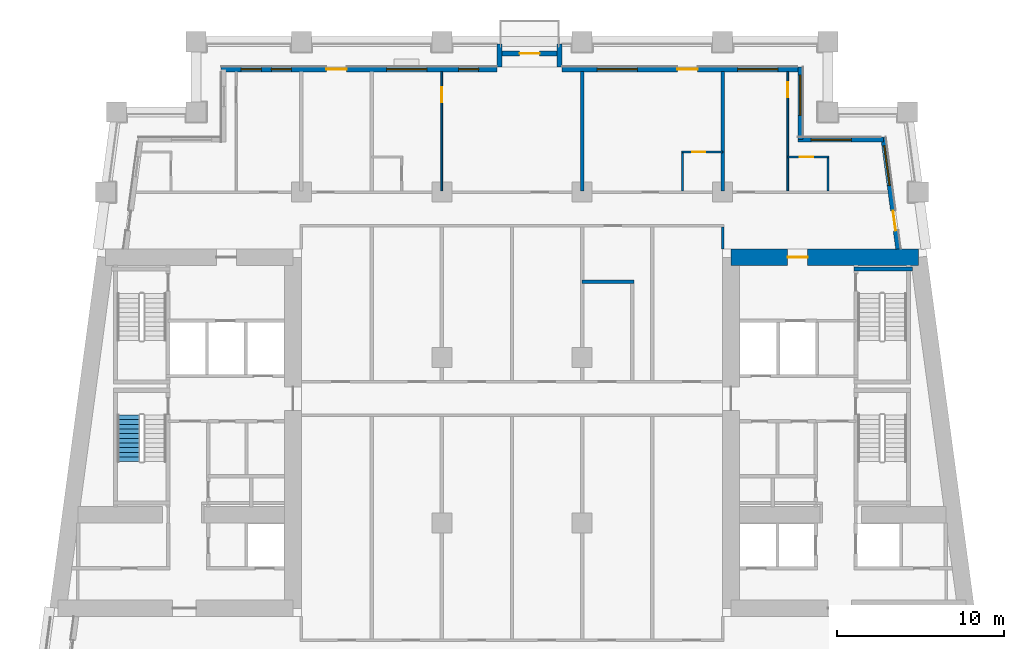
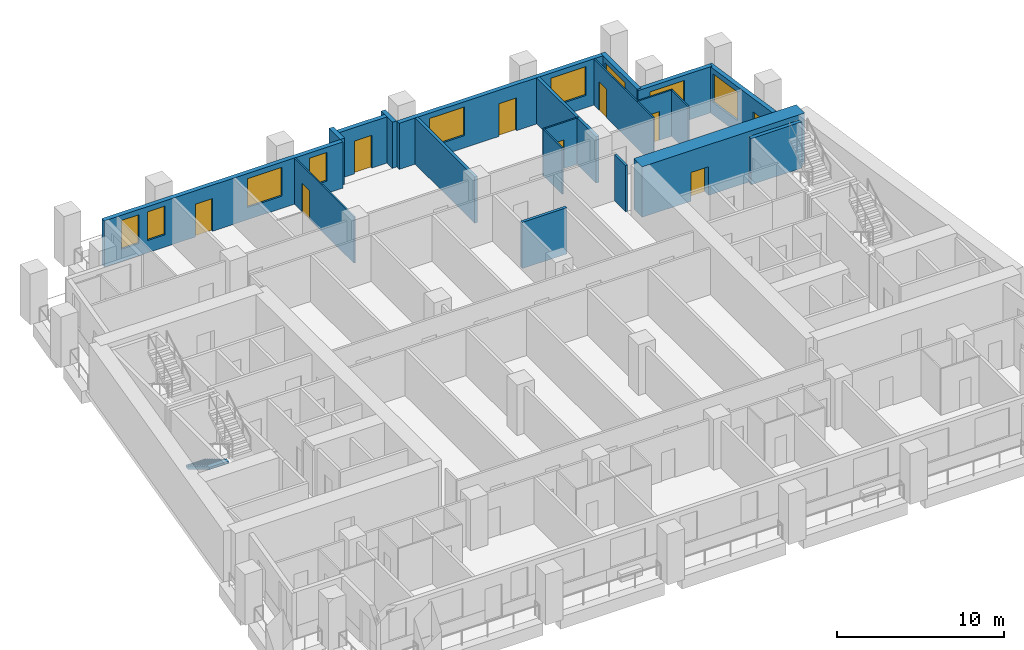
# One storey, part 7 of 13: 20 walls, 9 doors, 9 windows, 1 stair flight, 18 openings, 1 element without a shape of its own.
"""IFC4 building model written with IfcOpenShell, lengths in metres."""

from ifc_helpers import new_model, si_unit, direction, frame, frame_2d, origin, place, context, subcontext, project, spatial, polyline, rectangle, outline, extrude, material, layer, layer_set, type_object, element, fill, aggregate, save


model = new_model("IFC4")

# Units and contexts
model_context = context("Model", 3, precision=1e-05, world=origin(), true_north=direction((0.0, 1.0)))
body_context = subcontext(model_context, "Body", "Model", "MODEL_VIEW")
ifc_project = project(units=[si_unit("LENGTHUNIT", "METRE"), si_unit("AREAUNIT", "SQUARE_METRE"), si_unit("VOLUMEUNIT", "CUBIC_METRE"), si_unit("PLANEANGLEUNIT", "RADIAN"), si_unit("MASSUNIT", "GRAM", prefix="KILO")], contexts=[model_context])

# Site, building, storey
site_placement = place(None, origin())
site = spatial("IfcSite", under=ifc_project, at=site_placement, CompositionType="ELEMENT")
building_placement = place(site_placement, origin())
building = spatial("IfcBuilding", under=site, at=building_placement, Name="Candeia Pilgrim Tower and Theatre", CompositionType="ELEMENT")
storey_placement = place(building_placement, frame((0.0, 0.0, 102.10009765625)))
storey = spatial("IfcBuildingStorey", under=building, at=storey_placement, Name="L23", CompositionType="ELEMENT", Elevation=102.10009765625)

# Wall, opening, door
ifc_material_1 = material(Name="Concrete C70/85", Category="concrete")
ifc_layer_1 = layer(ifc_material_1, 1.0)
ifc_layer_set_1 = layer_set([ifc_layer_1], Name="Core wall 1000 C70/85")
wall_type_1 = type_object("IfcWallType", Name="Core wall 1000 C70/85", PredefinedType="SHEAR", material=ifc_layer_set_1)
wall_1_placement = place(storey_placement, frame((126.5, 131.89990234375, 0.0), z_axis=(0.0, 0.0, 1.0), x_axis=(1.0, 0.0, 0.0)))
wall_1 = element("IfcWall", 1, at=wall_1_placement, inside=storey, type_object=wall_type_1, Name="Core wall E1", PredefinedType="SHEAR", context=body_context, shape_type="SweptSolid", body=[
    extrude(rectangle(XDim=11.23193359375, YDim=1.0, at=frame_2d((5.615966796875, 0.0))), origin(), (0.0, 0.0, 1.0), 3.699951171875),
])
opening_1_placement = place(wall_1_placement, frame((3.386474609375, 0.0, 0.0)))
opening_1 = element("IfcOpeningElement", 2, at=opening_1_placement, cuts=wall_1, Name="Opening L23-D063", PredefinedType="OPENING", context=body_context, shape_type="SweptSolid", body=[
    extrude(rectangle(XDim=1.199951171875, YDim=2.10009765625, at=frame_2d((0.60009765625, 1.050048828125))), frame((0.0, 0.510009765625, 0.0), z_axis=(0.0, -1.0, 0.0), x_axis=(1.0, 0.0, 0.0)), (0.0, 0.0, 1.0), 1.02001953125),
])
ifc_material_2 = material(Name="Steel fire door set", Category="steel")
door_type_1 = type_object("IfcDoorType", Name="D-1200-FD60", OperationType="NOTDEFINED", PredefinedType="DOOR", material=ifc_material_2)
door_1_placement = place(opening_1_placement, origin())
door_1 = element("IfcDoor", 3, at=door_1_placement, inside=storey, type_object=door_type_1, Name="Door L23-D063", OperationType="SINGLE_SWING_RIGHT", OverallHeight=2.10009765625, OverallWidth=1.199951171875, PredefinedType="DOOR", context=body_context, shape_type="SweptSolid", body=[
    extrude(rectangle(XDim=1.199951171875, YDim=2.10009765625, at=frame_2d((0.60009765625, 1.050048828125))), frame((0.0, 0.02490234375, 0.0), z_axis=(0.0, -1.0, 0.0), x_axis=(1.0, 0.0, 0.0)), (0.0, 0.0, 1.0), 0.050048828125),
])
fill(opening_1, door_1)

# Wall, openings, door, window
ifc_material_3 = material(Name="Ceramic block masonry", Category="masonry")
ifc_layer_2 = layer(ifc_material_3, 0.300048828125)
ifc_layer_set_2 = layer_set([ifc_layer_2], Name="EW1 glazing-line wall 300")
wall_type_2 = type_object("IfcWallType", Name="EW1 glazing-line wall 300", PredefinedType="SOLIDWALL", material=ifc_layer_set_2)
wall_2_placement = place(storey_placement, frame((136.50439453125, 132.39990234375, 0.0), z_axis=(0.0, 0.0, 1.0), x_axis=(-0.133399697462, 0.99106231929, 0.0)))
wall_2 = element("IfcWall", 4, at=wall_2_placement, inside=storey, type_object=wall_type_2, Name="External wall L23-3.1", PredefinedType="SOLIDWALL", context=body_context, shape_type="SweptSolid", body=[
    extrude(rectangle(XDim=6.740478515625, YDim=0.300048828125, at=frame_2d((3.3701171875, 0.0))), origin(), (0.0, 0.0, 1.0), 3.3798828125),
])
opening_2_placement = place(wall_2_placement, frame((1.115234375, 0.0, 0.0)))
opening_2 = element("IfcOpeningElement", 5, at=opening_2_placement, cuts=wall_2, Name="Opening L23-ED236", PredefinedType="OPENING", context=body_context, shape_type="SweptSolid", body=[
    extrude(rectangle(XDim=1.199951171875, YDim=2.39990234375, at=frame_2d((0.60009765625, 1.199951171875))), frame((0.0, 0.16015625, 0.0), z_axis=(0.0, -1.0, 0.0), x_axis=(1.0, 0.0, 0.0)), (0.0, 0.0, 1.0), 0.320068359375),
])
opening_3_placement = place(wall_2_placement, frame((3.83544921875, 0.0, 0.89990234375)))
opening_3 = element("IfcOpeningElement", 6, at=opening_3_placement, cuts=wall_2, Name="Opening W-A", PredefinedType="OPENING", context=body_context, shape_type="SweptSolid", body=[
    extrude(rectangle(XDim=2.39990234375, YDim=2.10009765625, at=frame_2d((1.199951171875, 1.050048828125))), frame((0.0, 0.16015625, 0.0), z_axis=(0.0, -1.0, 0.0), x_axis=(1.0, 0.0, 0.0)), (0.0, 0.0, 1.0), 0.320068359375),
])
ifc_material_4 = material(Name="Aluminium framed glazed door", Category="aluminium")
door_type_2 = type_object("IfcDoorType", Name="Loggia door 1200x2400", OperationType="DOUBLE_DOOR_SINGLE_SWING", PredefinedType="DOOR", material=ifc_material_4)
door_2_placement = place(opening_2_placement, origin())
door_2 = element("IfcDoor", 7, at=door_2_placement, inside=storey, type_object=door_type_2, Name="Loggia door L23-ED236", OperationType="DOUBLE_DOOR_SINGLE_SWING", OverallHeight=2.39990234375, OverallWidth=1.199951171875, PredefinedType="DOOR", context=body_context, shape_type="SweptSolid", body=[
    extrude(rectangle(XDim=1.199951171875, YDim=2.39990234375, at=frame_2d((0.60009765625, 1.199951171875))), frame((0.0, 0.02490234375, 0.0), z_axis=(0.0, -1.0, 0.0), x_axis=(1.0, 0.0, 0.0)), (0.0, 0.0, 1.0), 0.050048828125),
])
fill(opening_2, door_2)
ifc_material_5 = material(Name="Aluminium framed double glazing", Category="aluminium")
window_type_1 = type_object("IfcWindowType", Name="W-A window 2400x2100", PartitioningType="DOUBLE_PANEL_VERTICAL", PredefinedType="WINDOW", material=ifc_material_5)
window_1_placement = place(opening_3_placement, origin())
window_1 = element("IfcWindow", 8, at=window_1_placement, inside=storey, type_object=window_type_1, Name="Window W-A L23", OverallHeight=2.10009765625, OverallWidth=2.39990234375, PartitioningType="SINGLE_PANEL", PredefinedType="WINDOW", context=body_context, shape_type="SweptSolid", body=[
    extrude(rectangle(XDim=2.39990234375, YDim=2.10009765625, at=frame_2d((1.199951171875, 1.050048828125))), frame((0.0, 0.030029296875, 0.0), z_axis=(0.0, -1.0, 0.0), x_axis=(1.0, 0.0, 0.0)), (0.0, 0.0, 1.0), 0.06005859375),
])
fill(opening_3, window_1)

# Wall, opening, window
wall_3_placement = place(storey_placement, frame((135.62255859375, 138.949951171875, 0.0), z_axis=(0.0, 0.0, 1.0), x_axis=(-1.0, 0.0, 0.0)))
wall_3 = element("IfcWall", 9, at=wall_3_placement, inside=storey, type_object=wall_type_2, Name="External wall L23-4.0", PredefinedType="SOLIDWALL", context=body_context, shape_type="SweptSolid", body=[
    extrude(rectangle(XDim=5.12255859375, YDim=0.300048828125, at=frame_2d((2.561279296875, 0.0))), origin(), (0.0, 0.0, 1.0), 3.3798828125),
])
opening_4_placement = place(wall_3_placement, frame((1.922607421875, 0.0, 0.89990234375)))
opening_4 = element("IfcOpeningElement", 10, at=opening_4_placement, cuts=wall_3, Name="Opening W-A", PredefinedType="OPENING", context=body_context, shape_type="SweptSolid", body=[
    extrude(rectangle(XDim=2.39990234375, YDim=2.10009765625, at=frame_2d((1.199951171875, 1.050048828125))), frame((0.0, 0.16015625, 0.0), z_axis=(0.0, -1.0, 0.0), x_axis=(1.0, 0.0, 0.0)), (0.0, 0.0, 1.0), 0.320068359375),
])
window_2_placement = place(opening_4_placement, origin())
window_2 = element("IfcWindow", 11, at=window_2_placement, inside=storey, type_object=window_type_1, Name="Window W-A L23", OverallHeight=2.10009765625, OverallWidth=2.39990234375, PartitioningType="SINGLE_PANEL", PredefinedType="WINDOW", context=body_context, shape_type="SweptSolid", body=[
    extrude(rectangle(XDim=2.39990234375, YDim=2.10009765625, at=frame_2d((1.199951171875, 1.050048828125))), frame((0.0, 0.030029296875, 0.0), z_axis=(0.0, -1.0, 0.0), x_axis=(1.0, 0.0, 0.0)), (0.0, 0.0, 1.0), 0.06005859375),
])
fill(opening_4, window_2)

wall_4_placement = place(storey_placement, frame((130.64990234375, 138.949951171875, 0.0), z_axis=(0.0, 0.0, 1.0), x_axis=(0.0, 1.0, 0.0)))
wall_4 = element("IfcWall", 12, at=wall_4_placement, inside=storey, type_object=wall_type_2, Name="External wall L23-5.0", PredefinedType="SOLIDWALL", context=body_context, shape_type="SweptSolid", body=[
    extrude(rectangle(XDim=4.35009765625, YDim=0.300048828125, at=frame_2d((2.175048828125, 0.0))), origin(), (0.0, 0.0, 1.0), 3.3798828125),
])
opening_5_placement = place(wall_4_placement, frame((1.449951171875, 0.0, 0.89990234375)))
opening_5 = element("IfcOpeningElement", 13, at=opening_5_placement, cuts=wall_4, Name="Opening W-A", PredefinedType="OPENING", context=body_context, shape_type="SweptSolid", body=[
    extrude(rectangle(XDim=2.39990234375, YDim=2.10009765625, at=frame_2d((1.199951171875, 1.050048828125))), frame((0.0, 0.16015625, 0.0), z_axis=(0.0, -1.0, 0.0), x_axis=(1.0, 0.0, 0.0)), (0.0, 0.0, 1.0), 0.320068359375),
])
window_3_placement = place(opening_5_placement, origin())
window_3 = element("IfcWindow", 14, at=window_3_placement, inside=storey, type_object=window_type_1, Name="Window W-A L23", OverallHeight=2.10009765625, OverallWidth=2.39990234375, PartitioningType="SINGLE_PANEL", PredefinedType="WINDOW", context=body_context, shape_type="SweptSolid", body=[
    extrude(rectangle(XDim=2.39990234375, YDim=2.10009765625, at=frame_2d((1.199951171875, 1.050048828125))), frame((0.0, 0.030029296875, 0.0), z_axis=(0.0, -1.0, 0.0), x_axis=(1.0, 0.0, 0.0)), (0.0, 0.0, 1.0), 0.06005859375),
])
fill(opening_5, window_3)

# Wall, openings, door, windows
wall_5_placement = place(storey_placement, frame((130.64990234375, 143.14990234375, 0.0), z_axis=(0.0, 0.0, 1.0), x_axis=(-1.0, 0.0, 0.0)))
wall_5 = element("IfcWall", 15, at=wall_5_placement, inside=storey, type_object=wall_type_2, Name="External wall L23-6.0", PredefinedType="SOLIDWALL", context=body_context, shape_type="SweptSolid", body=[
    extrude(rectangle(XDim=14.25, YDim=0.300048828125, at=frame_2d((7.125, 0.0))), origin(), (0.0, 0.0, 1.0), 3.3798828125),
])
opening_6_placement = place(wall_5_placement, frame((1.35009765625, 0.0, 0.89990234375)))
opening_6 = element("IfcOpeningElement", 16, at=opening_6_placement, cuts=wall_5, Name="Opening W-A", PredefinedType="OPENING", context=body_context, shape_type="SweptSolid", body=[
    extrude(rectangle(XDim=2.39990234375, YDim=2.10009765625, at=frame_2d((1.199951171875, 1.050048828125))), frame((0.0, 0.16015625, 0.0), z_axis=(0.0, -1.0, 0.0), x_axis=(1.0, 0.0, 0.0)), (0.0, 0.0, 1.0), 0.320068359375),
])
opening_7_placement = place(wall_5_placement, frame((6.14990234375, 0.0, 0.0)))
opening_7 = element("IfcOpeningElement", 17, at=opening_7_placement, cuts=wall_5, Name="Opening L23-ED237", PredefinedType="OPENING", context=body_context, shape_type="SweptSolid", body=[
    extrude(rectangle(XDim=1.199951171875, YDim=2.39990234375, at=frame_2d((0.60009765625, 1.199951171875))), frame((0.0, 0.16015625, 0.0), z_axis=(0.0, -1.0, 0.0), x_axis=(1.0, 0.0, 0.0)), (0.0, 0.0, 1.0), 0.320068359375),
])
opening_8_placement = place(wall_5_placement, frame((9.75, 0.0, 0.89990234375)))
opening_8 = element("IfcOpeningElement", 18, at=opening_8_placement, cuts=wall_5, Name="Opening W-A", PredefinedType="OPENING", context=body_context, shape_type="SweptSolid", body=[
    extrude(rectangle(XDim=2.39990234375, YDim=2.10009765625, at=frame_2d((1.199951171875, 1.050048828125))), frame((0.0, 0.16015625, 0.0), z_axis=(0.0, -1.0, 0.0), x_axis=(1.0, 0.0, 0.0)), (0.0, 0.0, 1.0), 0.320068359375),
])
door_3_placement = place(opening_7_placement, origin())
door_3 = element("IfcDoor", 19, at=door_3_placement, inside=storey, type_object=door_type_2, Name="Loggia door L23-ED237", OperationType="DOUBLE_DOOR_SINGLE_SWING", OverallHeight=2.39990234375, OverallWidth=1.199951171875, PredefinedType="DOOR", context=body_context, shape_type="SweptSolid", body=[
    extrude(rectangle(XDim=1.199951171875, YDim=2.39990234375, at=frame_2d((0.60009765625, 1.199951171875))), frame((0.0, 0.02490234375, 0.0), z_axis=(0.0, -1.0, 0.0), x_axis=(1.0, 0.0, 0.0)), (0.0, 0.0, 1.0), 0.050048828125),
])
fill(opening_7, door_3)
window_4_placement = place(opening_6_placement, origin())
window_4 = element("IfcWindow", 20, at=window_4_placement, inside=storey, type_object=window_type_1, Name="Window W-A L23", OverallHeight=2.10009765625, OverallWidth=2.39990234375, PartitioningType="SINGLE_PANEL", PredefinedType="WINDOW", context=body_context, shape_type="SweptSolid", body=[
    extrude(rectangle(XDim=2.39990234375, YDim=2.10009765625, at=frame_2d((1.199951171875, 1.050048828125))), frame((0.0, 0.030029296875, 0.0), z_axis=(0.0, -1.0, 0.0), x_axis=(1.0, 0.0, 0.0)), (0.0, 0.0, 1.0), 0.06005859375),
])
fill(opening_6, window_4)
window_5_placement = place(opening_8_placement, origin())
window_5 = element("IfcWindow", 21, at=window_5_placement, inside=storey, type_object=window_type_1, Name="Window W-A L23", OverallHeight=2.10009765625, OverallWidth=2.39990234375, PartitioningType="SINGLE_PANEL", PredefinedType="WINDOW", context=body_context, shape_type="SweptSolid", body=[
    extrude(rectangle(XDim=2.39990234375, YDim=2.10009765625, at=frame_2d((1.199951171875, 1.050048828125))), frame((0.0, 0.030029296875, 0.0), z_axis=(0.0, -1.0, 0.0), x_axis=(1.0, 0.0, 0.0)), (0.0, 0.0, 1.0), 0.06005859375),
])
fill(opening_8, window_5)

wall_6_placement = place(storey_placement, frame((112.5, 143.14990234375, 0.0), z_axis=(0.0, 0.0, 1.0), x_axis=(-1.0, 0.0, 0.0)))
wall_6 = element("IfcWall", 22, at=wall_6_placement, inside=storey, type_object=wall_type_2, Name="External wall L23-6.1", PredefinedType="SOLIDWALL", context=body_context, shape_type="SweptSolid", body=[
    extrude(rectangle(XDim=16.5, YDim=0.300048828125, at=frame_2d((8.25, 0.0))), origin(), (0.0, 0.0, 1.0), 3.3798828125),
])
opening_9_placement = place(wall_6_placement, frame((1.10009765625, 0.0, 0.89990234375)))
opening_9 = element("IfcOpeningElement", 23, at=opening_9_placement, cuts=wall_6, Name="Opening W-B", PredefinedType="OPENING", context=body_context, shape_type="SweptSolid", body=[
    extrude(rectangle(XDim=1.199951171875, YDim=2.10009765625, at=frame_2d((0.60009765625, 1.050048828125))), frame((0.0, 0.16015625, 0.0), z_axis=(0.0, -1.0, 0.0), x_axis=(1.0, 0.0, 0.0)), (0.0, 0.0, 1.0), 0.320068359375),
])
opening_10_placement = place(wall_6_placement, frame((4.199951171875, 0.0, 0.89990234375)))
opening_10 = element("IfcOpeningElement", 24, at=opening_10_placement, cuts=wall_6, Name="Opening W-A", PredefinedType="OPENING", context=body_context, shape_type="SweptSolid", body=[
    extrude(rectangle(XDim=2.39990234375, YDim=2.10009765625, at=frame_2d((1.199951171875, 1.050048828125))), frame((0.0, 0.16015625, 0.0), z_axis=(0.0, -1.0, 0.0), x_axis=(1.0, 0.0, 0.0)), (0.0, 0.0, 1.0), 0.320068359375),
])
opening_11_placement = place(wall_6_placement, frame((9.0, 0.0, 0.0)))
opening_11 = element("IfcOpeningElement", 25, at=opening_11_placement, cuts=wall_6, Name="Opening L23-ED238", PredefinedType="OPENING", context=body_context, shape_type="SweptSolid", body=[
    extrude(rectangle(XDim=1.199951171875, YDim=2.39990234375, at=frame_2d((0.60009765625, 1.199951171875))), frame((0.0, 0.16015625, 0.0), z_axis=(0.0, -1.0, 0.0), x_axis=(1.0, 0.0, 0.0)), (0.0, 0.0, 1.0), 0.320068359375),
])
opening_12_placement = place(wall_6_placement, frame((12.300048828125, 0.0, 0.89990234375)))
opening_12 = element("IfcOpeningElement", 26, at=opening_12_placement, cuts=wall_6, Name="Opening W-B", PredefinedType="OPENING", context=body_context, shape_type="SweptSolid", body=[
    extrude(rectangle(XDim=1.199951171875, YDim=2.10009765625, at=frame_2d((0.60009765625, 1.050048828125))), frame((0.0, 0.16015625, 0.0), z_axis=(0.0, -1.0, 0.0), x_axis=(1.0, 0.0, 0.0)), (0.0, 0.0, 1.0), 0.320068359375),
])
opening_13_placement = place(wall_6_placement, frame((14.10009765625, 0.0, 0.89990234375)))
opening_13 = element("IfcOpeningElement", 27, at=opening_13_placement, cuts=wall_6, Name="Opening W-B", PredefinedType="OPENING", context=body_context, shape_type="SweptSolid", body=[
    extrude(rectangle(XDim=1.199951171875, YDim=2.10009765625, at=frame_2d((0.60009765625, 1.050048828125))), frame((0.0, 0.16015625, 0.0), z_axis=(0.0, -1.0, 0.0), x_axis=(1.0, 0.0, 0.0)), (0.0, 0.0, 1.0), 0.320068359375),
])
door_4_placement = place(opening_11_placement, origin())
door_4 = element("IfcDoor", 28, at=door_4_placement, inside=storey, type_object=door_type_2, Name="Loggia door L23-ED238", OperationType="DOUBLE_DOOR_SINGLE_SWING", OverallHeight=2.39990234375, OverallWidth=1.199951171875, PredefinedType="DOOR", context=body_context, shape_type="SweptSolid", body=[
    extrude(rectangle(XDim=1.199951171875, YDim=2.39990234375, at=frame_2d((0.60009765625, 1.199951171875))), frame((0.0, 0.02490234375, 0.0), z_axis=(0.0, -1.0, 0.0), x_axis=(1.0, 0.0, 0.0)), (0.0, 0.0, 1.0), 0.050048828125),
])
fill(opening_11, door_4)
window_6_placement = place(opening_10_placement, origin())
window_6 = element("IfcWindow", 29, at=window_6_placement, inside=storey, type_object=window_type_1, Name="Window W-A L23", OverallHeight=2.10009765625, OverallWidth=2.39990234375, PartitioningType="SINGLE_PANEL", PredefinedType="WINDOW", context=body_context, shape_type="SweptSolid", body=[
    extrude(rectangle(XDim=2.39990234375, YDim=2.10009765625, at=frame_2d((1.199951171875, 1.050048828125))), frame((0.0, 0.030029296875, 0.0), z_axis=(0.0, -1.0, 0.0), x_axis=(1.0, 0.0, 0.0)), (0.0, 0.0, 1.0), 0.06005859375),
])
fill(opening_10, window_6)
window_type_2 = type_object("IfcWindowType", Name="W-B window 1200x2100", PartitioningType="SINGLE_PANEL", PredefinedType="WINDOW", material=ifc_material_5)
window_7_placement = place(opening_9_placement, origin())
window_7 = element("IfcWindow", 30, at=window_7_placement, inside=storey, type_object=window_type_2, Name="Window W-B L23", OverallHeight=2.10009765625, OverallWidth=1.199951171875, PartitioningType="SINGLE_PANEL", PredefinedType="WINDOW", context=body_context, shape_type="SweptSolid", body=[
    extrude(rectangle(XDim=1.199951171875, YDim=2.10009765625, at=frame_2d((0.60009765625, 1.050048828125))), frame((0.0, 0.030029296875, 0.0), z_axis=(0.0, -1.0, 0.0), x_axis=(1.0, 0.0, 0.0)), (0.0, 0.0, 1.0), 0.06005859375),
])
fill(opening_9, window_7)
window_8_placement = place(opening_12_placement, origin())
window_8 = element("IfcWindow", 31, at=window_8_placement, inside=storey, type_object=window_type_2, Name="Window W-B L23", OverallHeight=2.10009765625, OverallWidth=1.199951171875, PartitioningType="SINGLE_PANEL", PredefinedType="WINDOW", context=body_context, shape_type="SweptSolid", body=[
    extrude(rectangle(XDim=1.199951171875, YDim=2.10009765625, at=frame_2d((0.60009765625, 1.050048828125))), frame((0.0, 0.030029296875, 0.0), z_axis=(0.0, -1.0, 0.0), x_axis=(1.0, 0.0, 0.0)), (0.0, 0.0, 1.0), 0.06005859375),
])
fill(opening_12, window_8)
window_9_placement = place(opening_13_placement, origin())
window_9 = element("IfcWindow", 32, at=window_9_placement, inside=storey, type_object=window_type_2, Name="Window W-B L23", OverallHeight=2.10009765625, OverallWidth=1.199951171875, PartitioningType="SINGLE_PANEL", PredefinedType="WINDOW", context=body_context, shape_type="SweptSolid", body=[
    extrude(rectangle(XDim=1.199951171875, YDim=2.10009765625, at=frame_2d((0.60009765625, 1.050048828125))), frame((0.0, 0.030029296875, 0.0), z_axis=(0.0, -1.0, 0.0), x_axis=(1.0, 0.0, 0.0)), (0.0, 0.0, 1.0), 0.06005859375),
])
fill(opening_13, window_9)

# Walls
ifc_layer_3 = layer(ifc_material_3, 0.300048828125)
ifc_layer_set_3 = layer_set([ifc_layer_3], Name="EW2 entrance infill wall 300")
wall_type_3 = type_object("IfcWallType", Name="EW2 entrance infill wall 300", PredefinedType="SOLIDWALL", material=ifc_layer_set_3)
for number, where, z_axis, x_axis, name in (
    (33, (116.25, 143.300048828125, 0.0), (0.0, 0.0, 1.0), (0.0, 1.0, 0.0), "Alcove wall L23"),
    (34, (112.64990234375, 143.300048828125, 0.0), (0.0, 0.0, 1.0), (0.0, 1.0, 0.0), "Alcove wall L23"),
):
    element("IfcWall", number, at=place(storey_placement, frame(where, z_axis=z_axis, x_axis=x_axis)), inside=storey, type_object=wall_type_3, Name=name, PredefinedType="SOLIDWALL", context=body_context, shape_type="SweptSolid", body=[
        extrude(rectangle(XDim=1.349853515625, YDim=0.300048828125, at=frame_2d((0.6748046875, 0.0))), origin(), (0.0, 0.0, 1.0), 3.3798828125),
    ])

# Wall, opening, door
wall_7_placement = place(storey_placement, frame((116.39990234375, 144.10009765625, 0.0), z_axis=(0.0, 0.0, 1.0), x_axis=(-1.0, 0.0, 0.0)))
wall_7 = element("IfcWall", 35, at=wall_7_placement, inside=storey, type_object=wall_type_3, Name="Alcove wall L23", PredefinedType="SOLIDWALL", context=body_context, shape_type="SweptSolid", body=[
    extrude(rectangle(XDim=3.89990234375, YDim=0.300048828125, at=frame_2d((1.949951171875, 0.0))), origin(), (0.0, 0.0, 1.0), 3.3798828125),
])
opening_14_placement = place(wall_7_placement, frame((1.35009765625, 0.0, 0.0)))
opening_14 = element("IfcOpeningElement", 36, at=opening_14_placement, cuts=wall_7, Name="Opening L23-ED239", PredefinedType="OPENING", context=body_context, shape_type="SweptSolid", body=[
    extrude(rectangle(XDim=1.199951171875, YDim=2.39990234375, at=frame_2d((0.60009765625, 1.199951171875))), frame((0.0, 0.16015625, 0.0), z_axis=(0.0, -1.0, 0.0), x_axis=(1.0, 0.0, 0.0)), (0.0, 0.0, 1.0), 0.320068359375),
])
door_5_placement = place(opening_14_placement, origin())
door_5 = element("IfcDoor", 37, at=door_5_placement, inside=storey, type_object=door_type_2, Name="Balcony door L23-ED239", OperationType="DOUBLE_DOOR_SINGLE_SWING", OverallHeight=2.39990234375, OverallWidth=1.199951171875, PredefinedType="DOOR", context=body_context, shape_type="SweptSolid", body=[
    extrude(rectangle(XDim=1.199951171875, YDim=2.39990234375, at=frame_2d((0.60009765625, 1.199951171875))), frame((0.0, 0.02490234375, 0.0), z_axis=(0.0, -1.0, 0.0), x_axis=(1.0, 0.0, 0.0)), (0.0, 0.0, 1.0), 0.050048828125),
])
fill(opening_14, door_5)

ifc_material_6 = material(Name="Gypsum board partition on steel studs", Category="steel")
ifc_layer_4 = layer(ifc_material_6, 0.10009765625)
ifc_layer_set_4 = layer_set([ifc_layer_4], Name="PW-100 room partition")
wall_type_4 = type_object("IfcWallType", Name="PW-100 room partition", PredefinedType="PARTITIONING", material=ifc_layer_set_4)
wall_8_placement = place(storey_placement, frame((129.89990234375, 137.89990234375, 0.0), z_axis=(0.0, 0.0, 1.0), x_axis=(1.0, 0.0, 0.0)))
wall_8 = element("IfcWall", 38, at=wall_8_placement, inside=storey, type_object=wall_type_4, Name="Room partition L23-045", PredefinedType="PARTITIONING", context=body_context, shape_type="SweptSolid", body=[
    extrude(rectangle(XDim=2.4501953125, YDim=0.10009765625, at=frame_2d((1.22509765625, 0.0))), origin(), (0.0, 0.0, 1.0), 3.3798828125),
])
opening_15_placement = place(wall_8_placement, frame((0.7099609375, 0.0, 0.0)))
opening_15 = element("IfcOpeningElement", 39, at=opening_15_placement, cuts=wall_8, Name="Opening L23-D045", PredefinedType="OPENING", context=body_context, shape_type="SweptSolid", body=[
    extrude(rectangle(XDim=0.800048828125, YDim=2.10009765625, at=frame_2d((0.39990234375, 1.050048828125))), frame((0.0, 0.06005859375, 0.0), z_axis=(0.0, -1.0, 0.0), x_axis=(1.0, 0.0, 0.0)), (0.0, 0.0, 1.0), 0.1201171875),
])
ifc_material_7 = material(Name="Timber door leaf", Category="wood")
door_type_3 = type_object("IfcDoorType", Name="D-800", OperationType="NOTDEFINED", PredefinedType="DOOR", material=ifc_material_7)
door_6_placement = place(opening_15_placement, origin())
door_6 = element("IfcDoor", 40, at=door_6_placement, inside=storey, type_object=door_type_3, Name="Door L23-D045", OperationType="SINGLE_SWING_RIGHT", OverallHeight=2.10009765625, OverallWidth=0.800048828125, PredefinedType="DOOR", context=body_context, shape_type="SweptSolid", body=[
    extrude(rectangle(XDim=0.800048828125, YDim=2.10009765625, at=frame_2d((0.39990234375, 1.050048828125))), frame((0.0, 0.02490234375, 0.0), z_axis=(0.0, -1.0, 0.0), x_axis=(1.0, 0.0, 0.0)), (0.0, 0.0, 1.0), 0.050048828125),
])
fill(opening_15, door_6)

wall_9_placement = place(storey_placement, frame((123.550048828125, 138.199951171875, 0.0), z_axis=(0.0, 0.0, 1.0), x_axis=(1.0, 0.0, 0.0)))
wall_9 = element("IfcWall", 41, at=wall_9_placement, inside=storey, type_object=wall_type_4, Name="Room partition L23-047", PredefinedType="PARTITIONING", context=body_context, shape_type="SweptSolid", body=[
    extrude(rectangle(XDim=2.449951171875, YDim=0.10009765625, at=frame_2d((1.22509765625, 0.0))), origin(), (0.0, 0.0, 1.0), 3.3798828125),
])
opening_16_placement = place(wall_9_placement, frame((0.625, 0.0, 0.0)))
opening_16 = element("IfcOpeningElement", 42, at=opening_16_placement, cuts=wall_9, Name="Opening L23-D042", PredefinedType="OPENING", context=body_context, shape_type="SweptSolid", body=[
    extrude(rectangle(XDim=0.800048828125, YDim=2.10009765625, at=frame_2d((0.39990234375, 1.050048828125))), frame((0.0, 0.06005859375, 0.0), z_axis=(0.0, -1.0, 0.0), x_axis=(1.0, 0.0, 0.0)), (0.0, 0.0, 1.0), 0.1201171875),
])
door_7_placement = place(opening_16_placement, origin())
door_7 = element("IfcDoor", 43, at=door_7_placement, inside=storey, type_object=door_type_3, Name="Door L23-D042", OperationType="SINGLE_SWING_LEFT", OverallHeight=2.10009765625, OverallWidth=0.800048828125, PredefinedType="DOOR", context=body_context, shape_type="SweptSolid", body=[
    extrude(rectangle(XDim=0.800048828125, YDim=2.10009765625, at=frame_2d((0.39990234375, 1.050048828125))), frame((0.0, 0.02490234375, 0.0), z_axis=(0.0, -1.0, 0.0), x_axis=(1.0, 0.0, 0.0)), (0.0, 0.0, 1.0), 0.050048828125),
])
fill(opening_16, door_7)

wall_10_placement = place(storey_placement, frame((109.199951171875, 135.875, 0.0), z_axis=(0.0, 0.0, 1.0), x_axis=(0.0, 1.0, 0.0)))
wall_10 = element("IfcWall", 44, at=wall_10_placement, inside=storey, type_object=wall_type_4, Name="Room partition L23-081", PredefinedType="PARTITIONING", context=body_context, shape_type="SweptSolid", body=[
    extrude(rectangle(XDim=7.135009765625, YDim=0.10009765625, at=frame_2d((3.5673828125, 0.0))), origin(), (0.0, 0.0, 1.0), 3.3798828125),
])
opening_17_placement = place(wall_10_placement, frame((5.2900390625, 0.0, 0.0)))
opening_17 = element("IfcOpeningElement", 45, at=opening_17_placement, cuts=wall_10, Name="Opening L23-D039", PredefinedType="OPENING", context=body_context, shape_type="SweptSolid", body=[
    extrude(rectangle(XDim=0.89990234375, YDim=2.10009765625, at=frame_2d((0.449951171875, 1.050048828125))), frame((0.0, 0.06005859375, 0.0), z_axis=(0.0, -1.0, 0.0), x_axis=(1.0, 0.0, 0.0)), (0.0, 0.0, 1.0), 0.1201171875),
])
door_type_4 = type_object("IfcDoorType", Name="D-900", OperationType="NOTDEFINED", PredefinedType="DOOR", material=ifc_material_7)
door_8_placement = place(opening_17_placement, origin())
door_8 = element("IfcDoor", 46, at=door_8_placement, inside=storey, type_object=door_type_4, Name="Door L23-D039", OperationType="SINGLE_SWING_RIGHT", OverallHeight=2.10009765625, OverallWidth=0.89990234375, PredefinedType="DOOR", context=body_context, shape_type="SweptSolid", body=[
    extrude(rectangle(XDim=0.89990234375, YDim=2.10009765625, at=frame_2d((0.449951171875, 1.050048828125))), frame((0.0, 0.02490234375, 0.0), z_axis=(0.0, -1.0, 0.0), x_axis=(1.0, 0.0, 0.0)), (0.0, 0.0, 1.0), 0.050048828125),
])
fill(opening_17, door_8)

# Wall
wall_11_placement = place(storey_placement, frame((123.60009765625, 135.875, 0.0), z_axis=(0.0, 0.0, 1.0), x_axis=(0.0, 1.0, 0.0)))
element("IfcWall", 47, at=wall_11_placement, inside=storey, type_object=wall_type_4, Name="Room partition L23-098", PredefinedType="PARTITIONING", context=body_context, shape_type="SweptSolid", body=[
    extrude(rectangle(XDim=2.27490234375, YDim=0.10009765625, at=frame_2d((1.137451171875, 0.0))), origin(), (0.0, 0.0, 1.0), 3.3798828125),
])

# Wall, opening, door
wall_12_placement = place(storey_placement, frame((129.89990234375, 135.875, 0.0), z_axis=(0.0, 0.0, 1.0), x_axis=(0.0, 1.0, 0.0)))
wall_12 = element("IfcWall", 48, at=wall_12_placement, inside=storey, type_object=wall_type_4, Name="Room partition L23-107", PredefinedType="PARTITIONING", context=body_context, shape_type="SweptSolid", body=[
    extrude(rectangle(XDim=7.135009765625, YDim=0.10009765625, at=frame_2d((3.5673828125, 0.0))), origin(), (0.0, 0.0, 1.0), 3.3798828125),
])
opening_18_placement = place(wall_12_placement, frame((5.60498046875, 0.0, 0.0)))
opening_18 = element("IfcOpeningElement", 49, at=opening_18_placement, cuts=wall_12, Name="Opening L23-D044", PredefinedType="OPENING", context=body_context, shape_type="SweptSolid", body=[
    extrude(rectangle(XDim=0.89990234375, YDim=2.10009765625, at=frame_2d((0.449951171875, 1.050048828125))), frame((0.0, 0.06005859375, 0.0), z_axis=(0.0, -1.0, 0.0), x_axis=(1.0, 0.0, 0.0)), (0.0, 0.0, 1.0), 0.1201171875),
])
door_9_placement = place(opening_18_placement, origin())
door_9 = element("IfcDoor", 50, at=door_9_placement, inside=storey, type_object=door_type_4, Name="Door L23-D044", OperationType="SINGLE_SWING_LEFT", OverallHeight=2.10009765625, OverallWidth=0.89990234375, PredefinedType="DOOR", context=body_context, shape_type="SweptSolid", body=[
    extrude(rectangle(XDim=0.89990234375, YDim=2.10009765625, at=frame_2d((0.449951171875, 1.050048828125))), frame((0.0, 0.02490234375, 0.0), z_axis=(0.0, -1.0, 0.0), x_axis=(1.0, 0.0, 0.0)), (0.0, 0.0, 1.0), 0.050048828125),
])
fill(opening_18, door_9)

# Walls
wall_13_placement = place(storey_placement, frame((132.300048828125, 135.875, 0.0), z_axis=(0.0, 0.0, 1.0), x_axis=(0.0, 1.0, 0.0)))
element("IfcWall", 51, at=wall_13_placement, inside=storey, type_object=wall_type_4, Name="Room partition L23-113", PredefinedType="PARTITIONING", context=body_context, shape_type="SweptSolid", body=[
    extrude(rectangle(XDim=1.97509765625, YDim=0.10009765625, at=frame_2d((0.987548828125, 0.0))), origin(), (0.0, 0.0, 1.0), 3.3798828125),
])
ifc_layer_5 = layer(ifc_material_6, 0.14990234375)
ifc_layer_set_5 = layer_set([ifc_layer_5], Name="PW-150 unit wall")
wall_type_5 = type_object("IfcWallType", Name="PW-150 unit wall", PredefinedType="PARTITIONING", material=ifc_layer_set_5)
wall_14_placement = place(storey_placement, frame((126.0, 132.39990234375, 0.0), z_axis=(0.0, 0.0, 1.0), x_axis=(0.0, 1.0, 0.0)))
element("IfcWall", 52, at=wall_14_placement, inside=storey, type_object=wall_type_5, Name="Unit wall L23-102", PredefinedType="PARTITIONING", context=body_context, shape_type="SweptSolid", body=[
    extrude(rectangle(XDim=1.3251953125, YDim=0.14990234375, at=frame_2d((0.66259765625, 0.0))), origin(), (0.0, 0.0, 1.0), 3.3798828125),
])
ifc_layer_6 = layer(ifc_material_6, 0.199951171875)
ifc_layer_set_6 = layer_set([ifc_layer_6], Name="PW-200 party wall")
wall_type_6 = type_object("IfcWallType", Name="PW-200 party wall", PredefinedType="PARTITIONING", material=ifc_layer_set_6)
wall_15_placement = place(storey_placement, frame((117.60009765625, 130.449951171875, 0.0), z_axis=(0.0, 0.0, 1.0), x_axis=(1.0, 0.0, 0.0)))
element("IfcWall", 53, at=wall_15_placement, inside=storey, type_object=wall_type_6, Name="Party wall L23-039", PredefinedType="PARTITIONING", context=body_context, shape_type="SweptSolid", body=[
    extrude(rectangle(XDim=3.099853515625, YDim=0.199951171875, at=frame_2d((1.5498046875, 0.0))), origin(), (0.0, 0.0, 1.0), 3.3798828125),
])
for number, where, z_axis, x_axis, name in (
    (54, (117.60009765625, 135.875, 0.0), (0.0, 0.0, 1.0), (0.0, 1.0, 0.0), "Party wall L23-091"),
    (55, (126.0, 135.875, 0.0), (0.0, 0.0, 1.0), (0.0, 1.0, 0.0), "Party wall L23-100"),
):
    element("IfcWall", number, at=place(storey_placement, frame(where, z_axis=z_axis, x_axis=x_axis)), inside=storey, type_object=wall_type_6, Name=name, PredefinedType="PARTITIONING", context=body_context, shape_type="SweptSolid", body=[
        extrude(rectangle(XDim=7.135009765625, YDim=0.199951171875, at=frame_2d((3.5673828125, 0.0))), origin(), (0.0, 0.0, 1.0), 3.3798828125),
    ])
ifc_material_8 = material(Name="Concrete C40/50", Category="concrete")
ifc_layer_7 = layer(ifc_material_8, 0.25)
ifc_layer_set_7 = layer_set([ifc_layer_7], Name="SW-250 stair wall")
wall_type_7 = type_object("IfcWallType", Name="SW-250 stair wall", PredefinedType="PARTITIONING", material=ifc_layer_set_7)
wall_16_placement = place(storey_placement, frame((133.847900390625, 131.199951171875, 0.0), z_axis=(0.0, 0.0, 1.0), x_axis=(1.0, 0.0, 0.0)))
element("IfcWall", 56, at=wall_16_placement, inside=storey, type_object=wall_type_7, Name="Stair wall L23-041", PredefinedType="PARTITIONING", context=body_context, shape_type="SweptSolid", body=[
    extrude(rectangle(XDim=3.50390625, YDim=0.25, at=frame_2d((1.751953125, 0.0))), origin(), (0.0, 0.0, 1.0), 3.3798828125),
])

# Stair, stair flight
stair_type = type_object("IfcStairType", Name="ST-TWR dog-leg escape stair", PredefinedType="HALF_TURN_STAIR", material=ifc_material_8)
stair_placement = place(storey_placement, origin())
stair = element("IfcStair", 57, at=stair_placement, inside=storey, type_object=stair_type, Name="L23 Escape stair ST1", PredefinedType="HALF_TURN_STAIR")
stair_flight_type = type_object("IfcStairFlightType", Name="SFL-RC stair flight", PredefinedType="STRAIGHT", material=ifc_material_8)
stair_flight_placement = place(storey_placement, frame((90.47705078125, 122.47509765625, 0.0), z_axis=(0.0, 0.0, 1.0), x_axis=(0.0, -1.0, 0.0)))
stair_flight = element("IfcStairFlight", 58, at=stair_flight_placement, type_object=stair_flight_type, Name="ST1 flight 1", NumberOfRisers=11, NumberOfTreads=10, PredefinedType="STRAIGHT", RiserHeight=0.168181818, TreadLength=0.28, context=body_context, shape_type="SweptSolid", body=[
    extrude(outline(polyline([(0.0, 0.0), (0.0, 0.168212890625), (0.280029296875, 0.168212890625), (0.280029296875, 0.33642578125), (0.56005859375, 0.33642578125), (0.56005859375, 0.504638671875), (0.840087890625, 0.504638671875), (0.840087890625, 0.672607421875), (1.1201171875, 0.672607421875), (1.1201171875, 0.8408203125), (1.39990234375, 0.8408203125), (1.39990234375, 1.009033203125), (1.679931640625, 1.009033203125), (1.679931640625, 1.17724609375), (1.9599609375, 1.17724609375), (1.9599609375, 1.345458984375), (2.239990234375, 1.345458984375), (2.239990234375, 1.513671875), (2.52001953125, 1.513671875), (2.52001953125, 1.681884765625), (2.800048828125, 1.681884765625), (2.800048828125, 1.85009765625), (2.800048828125, 1.5068359375), (0.291015625, 0.0), (0.0, 0.0)])), frame((0.0, 0.675048828125, 0.0), z_axis=(0.0, -1.0, 0.0), x_axis=(1.0, 0.0, 0.0)), (0.0, 0.0, 1.0), 1.35009765625),
])
aggregate(stair, [stair_flight])

save(model, "model.ifc")
